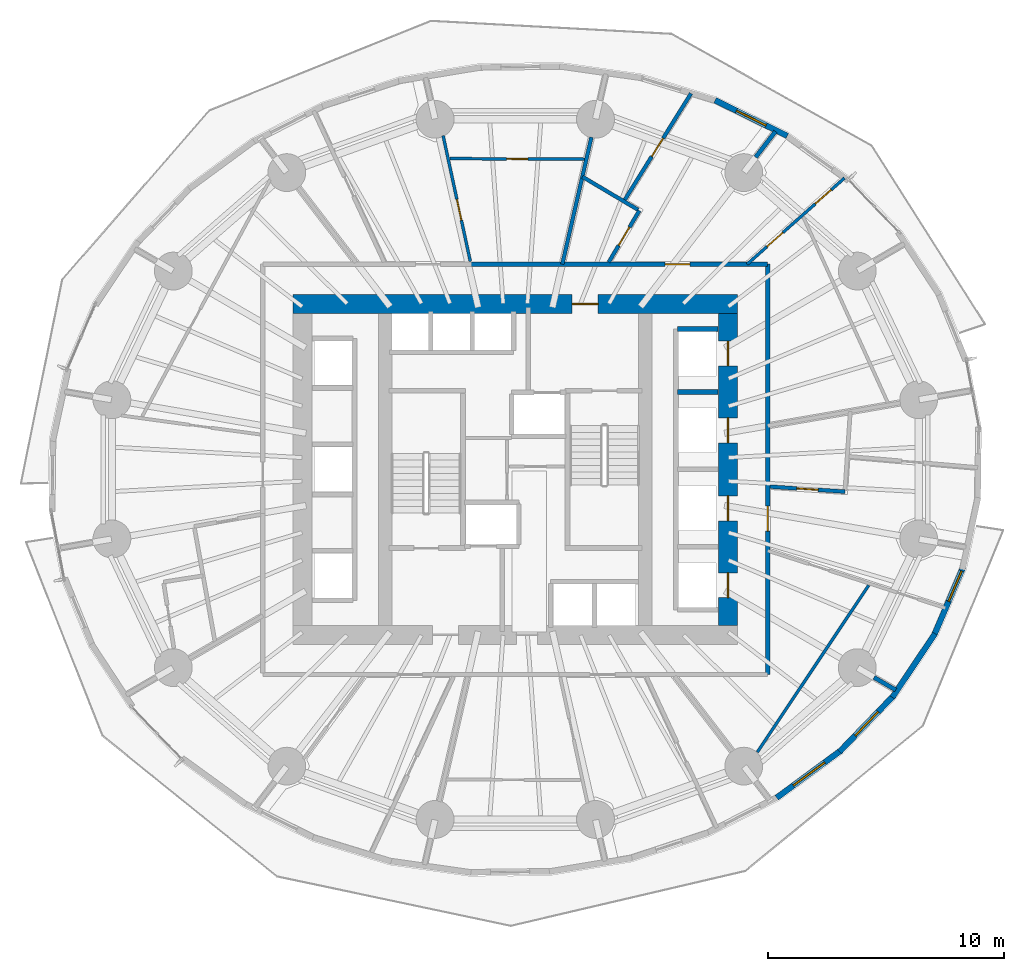
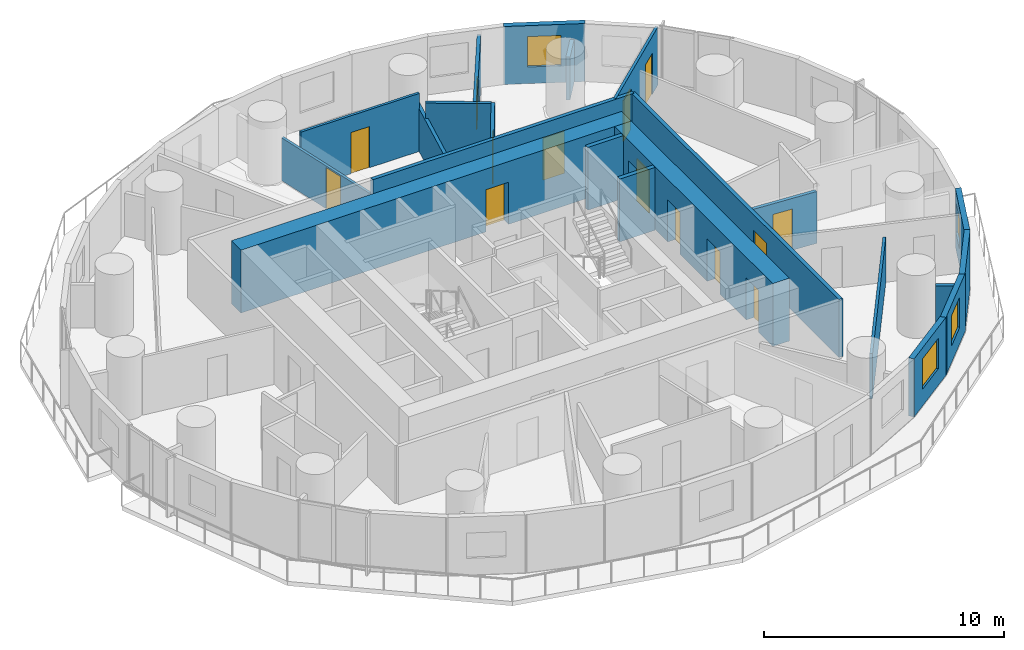
# One storey, part 9 of 14: 22 walls, 14 doors, 4 windows, 18 openings.
"""IFC4 building model written with IfcOpenShell, lengths in metres."""

import ifcopenshell
import ifcopenshell.guid

model = None  # the IFC model being written
_history = None  # IfcOwnerHistory: only IFC2X3 demands one
_inside = {}  # id of a spatial element -> (the spatial element, [elements in it])
_under = {}  # id of a project, library or spatial element -> (it, [spatial elements below it])
_declared = {}  # id of a project -> (the project, [libraries it declares])
_typed = {}  # id of a type object -> (the type object, [elements of that type])
_made_of = {}  # id of a material, layer set ... -> (it, [elements and type objects made of it])


def new_model(schema):
    """Start an empty IFC model of exactly this schema.

    Asked for "IFC4X3", IfcOpenShell would pick the latest addendum, in which some entities
    have other attributes; the version numbers below select the first issue.
    IFC2X3 requires an IfcOwnerHistory on every rooted entity: one is made here for all.
    """
    global model, _history
    if schema == "IFC4X3":
        model = ifcopenshell.file(schema_version=(4, 3, 0, 0))
    else:
        model = ifcopenshell.file(schema=schema)
    _inside.clear()
    _under.clear()
    _declared.clear()
    _typed.clear()
    _made_of.clear()
    _history = None
    if model.schema == "IFC2X3":
        org = make("IfcOrganization", Name="unknown")
        user = make(
            "IfcPersonAndOrganization",
            ThePerson=make("IfcPerson", FamilyName="unknown"),
            TheOrganization=org,
        )
        app = make(
            "IfcApplication",
            ApplicationDeveloper=org,
            Version="unknown",
            ApplicationFullName="unknown",
            ApplicationIdentifier="unknown",
        )
        _history = make(
            "IfcOwnerHistory",
            OwningUser=user,
            OwningApplication=app,
            ChangeAction="ADDED",
            CreationDate=0,
        )
    return model


def make(cls, **values):
    """One entity of the class cls with the attributes given. An attribute that is None is left unset."""
    return model.create_entity(
        cls, **{name: value for name, value in values.items() if value is not None}
    )


def rooted(cls, **values):
    """An entity with a GlobalId (a new one), such as an element, a storey or a relation."""
    return make(cls, GlobalId=ifcopenshell.guid.new(), OwnerHistory=_history, **values)


def si_unit(unit_type, name, prefix=None):
    """IfcSIUnit, for example si_unit("LENGTHUNIT", "METRE", prefix="MILLI")."""
    return make("IfcSIUnit", UnitType=unit_type, Prefix=prefix, Name=name)


def assignment(units):
    """IfcUnitAssignment: the units of a project."""
    return None if units is None else make("IfcUnitAssignment", Units=units)


def point(xyz):
    """IfcCartesianPoint."""
    return None if xyz is None else make("IfcCartesianPoint", Coordinates=xyz)


def direction(xyz):
    """IfcDirection."""
    return None if xyz is None else make("IfcDirection", DirectionRatios=xyz)


def frame(location, z_axis=None, x_axis=None):
    """IfcAxis2Placement3D, a coordinate frame: its origin and axes. An axis left out is left unset."""
    return make(
        "IfcAxis2Placement3D",
        Location=point(location),
        Axis=direction(z_axis),
        RefDirection=direction(x_axis),
    )


def frame_2d(location, x_axis=None):
    """IfcAxis2Placement2D, a coordinate frame in the plane: its origin and x axis."""
    return make(
        "IfcAxis2Placement2D", Location=point(location), RefDirection=direction(x_axis)
    )


def origin():
    """The frame at (0, 0, 0) with its axes left unset."""
    return frame((0.0, 0.0, 0.0))


def place(relative_to, where):
    """IfcLocalPlacement: puts the frame where relative to a parent placement (None: the world)."""
    return make(
        "IfcLocalPlacement", PlacementRelTo=relative_to, RelativePlacement=where
    )


def context(
    kind, dimensions, precision=None, world=None, true_north=None, identifier=None
):
    """IfcGeometricRepresentationContext, for example the 3D "Model" context."""
    return make(
        "IfcGeometricRepresentationContext",
        ContextIdentifier=identifier,
        ContextType=kind,
        CoordinateSpaceDimension=dimensions,
        Precision=precision,
        WorldCoordinateSystem=world,
        TrueNorth=true_north,
    )


def subcontext(parent, identifier, kind, view, scale=None):
    """IfcGeometricRepresentationSubContext, for example "Body" below "Model"."""
    return make(
        "IfcGeometricRepresentationSubContext",
        ContextIdentifier=identifier,
        ContextType=kind,
        ParentContext=parent,
        TargetScale=scale,
        TargetView=view,
    )


def project(units=None, contexts=None):
    """IfcProject with its units and contexts."""
    return rooted(
        "IfcProject",
        Name="project",
        RepresentationContexts=contexts,
        UnitsInContext=assignment(units),
    )


def spatial(cls, under=None, at=None, **own):
    """A site, building, storey or space (cls), placed at a placement, below another one or the project."""
    s = rooted(cls, ObjectPlacement=at, **own)
    if under is not None:
        _under.setdefault(under.id(), (under, []))[1].append(s)
    return s


def profile(cls, at=None, kind="AREA", **sizes):
    """A parametric profile (cls). Its sizes go by their IFC names, for example OverallWidth=200.0."""
    return make(cls, ProfileType=kind, Position=at, **sizes)


def rectangle(**sizes):
    """IfcRectangleProfileDef."""
    return profile("IfcRectangleProfileDef", **sizes)


def extrude(swept, where, along, depth):
    """IfcExtrudedAreaSolid: the profile swept, set in the frame where, extruded along a direction by depth."""
    return make(
        "IfcExtrudedAreaSolid",
        SweptArea=swept,
        Position=where,
        ExtrudedDirection=direction(along),
        Depth=depth,
    )


def shape(context_of_items, identifier, shape_type, items):
    """IfcShapeRepresentation: the items that make up one representation, for example the "Body"."""
    return make(
        "IfcShapeRepresentation",
        ContextOfItems=context_of_items,
        RepresentationIdentifier=identifier,
        RepresentationType=shape_type,
        Items=items,
    )


def material(Name=None, Category=None):
    """IfcMaterial."""
    return make("IfcMaterial", Name=Name, Category=Category)


def layer(
    of_material, thickness, ventilated=None, Name=None, Category=None, Priority=None
):
    """IfcMaterialLayer: one layer of a wall or slab, of a material (None: an air gap)."""
    return make(
        "IfcMaterialLayer",
        Material=of_material,
        LayerThickness=thickness,
        IsVentilated=ventilated,
        Name=Name,
        Category=Category,
        Priority=Priority,
    )


def layer_set(layers, Name=None):
    """IfcMaterialLayerSet."""
    return make("IfcMaterialLayerSet", MaterialLayers=layers, LayerSetName=Name)


def made_of(thing, what):
    """Note that an element or type object is made of a material, layer set ...; save() writes the relation."""
    if what is not None:
        _made_of.setdefault(what.id(), (what, []))[1].append(thing)
    return thing


def type_object(cls, material=None, **own):
    """A type object (cls), such as IfcWallType, which elements share."""
    return made_of(rooted(cls, **own), material)


def element(
    cls,
    number,
    at=None,
    inside=None,
    cuts=None,
    type_object=None,
    material=None,
    context=None,
    identifier="Body",
    shape_type=None,
    held_by="IfcProductDefinitionShape",
    body=None,
    shapes=None,
    **own,
):
    """One element of the class cls, such as IfcWall. Its Tag is "e" and its number.

    at: its placement. inside: the storey or other place that contains it. cuts: it is an
    opening in that element (IfcRelVoidsElement). A single representation is given by context,
    identifier, shape_type and body (its items); several are given by shapes. held_by: the class
    of the entity that holds the representations. save() writes the other relations.
    """
    e = rooted(cls, Tag="e%d" % number, ObjectPlacement=at, **own)
    if body is not None:
        shapes = [shape(context, identifier, shape_type, body)]
    if shapes is not None:
        e.Representation = make(held_by, Representations=shapes)
    if inside is not None:
        _inside.setdefault(inside.id(), (inside, []))[1].append(e)
    if cuts is not None:
        rooted(
            "IfcRelVoidsElement", RelatingBuildingElement=cuts, RelatedOpeningElement=e
        )
    if type_object is not None:
        _typed.setdefault(type_object.id(), (type_object, []))[1].append(e)
    return made_of(e, material)


def fill(opening, filler):
    """IfcRelFillsElement: the door or window that sits in an opening."""
    return rooted(
        "IfcRelFillsElement",
        RelatingOpeningElement=opening,
        RelatedBuildingElement=filler,
    )


def aggregate(whole, parts):
    """IfcRelAggregates: a whole, such as a stair, and the parts it consists of."""
    return rooted("IfcRelAggregates", RelatingObject=whole, RelatedObjects=parts)


def save(model, path):
    """Write the relations noted so far, then the file.

    IfcRelAggregates (storeys below a building ...), IfcRelContainedInSpatialStructure (elements
    in a storey), IfcRelDefinesByType, IfcRelAssociatesMaterial and IfcRelDeclares: one each for
    every whole, place, type object, material and project.
    """
    for whole, parts in _under.values():
        aggregate(whole, parts)
    for where, things in _inside.values():
        rooted(
            "IfcRelContainedInSpatialStructure",
            RelatedElements=things,
            RelatingStructure=where,
        )
    for kind, things in _typed.values():
        rooted("IfcRelDefinesByType", RelatedObjects=things, RelatingType=kind)
    for what, things in _made_of.values():
        rooted("IfcRelAssociatesMaterial", RelatedObjects=things, RelatingMaterial=what)
    for by, libraries in _declared.values():
        rooted("IfcRelDeclares", RelatingContext=by, RelatedDefinitions=libraries)
    model.write(path)


model = new_model("IFC4")

# Units and contexts
model_context = context("Model", 3, precision=1e-05, world=origin(), true_north=direction((0.0, 1.0)))
body_context = subcontext(model_context, "Body", "Model", "MODEL_VIEW")
ifc_project = project(units=[si_unit("LENGTHUNIT", "METRE"), si_unit("AREAUNIT", "SQUARE_METRE"), si_unit("VOLUMEUNIT", "CUBIC_METRE"), si_unit("PLANEANGLEUNIT", "RADIAN"), si_unit("MASSUNIT", "GRAM", prefix="KILO")], contexts=[model_context])

# Site, building, storey
site_placement = place(None, origin())
site = spatial("IfcSite", under=ifc_project, at=site_placement, CompositionType="ELEMENT")
building_placement = place(site_placement, origin())
building = spatial("IfcBuilding", under=site, at=building_placement, Name="Veldorim Arch Residences", CompositionType="ELEMENT")
storey_placement = place(building_placement, frame((0.0, 0.0, 28.0)))
storey = spatial("IfcBuildingStorey", under=building, at=storey_placement, Name="L07", CompositionType="ELEMENT", Elevation=28.0)

# Wall
ifc_material_1 = material(Name="Acoustic Gypsum Board", Category="gypsum")
ifc_layer_1 = layer(ifc_material_1, 0.125, Name="Acoustic Stud Room Partition Wall 125")
ifc_layer_set_1 = layer_set([ifc_layer_1], Name="Acoustic Gypsum Board")
wall_type_1 = type_object("IfcWallType", Name="Acoustic Stud Room Partition Wall 125", PredefinedType="PARTITIONING", material=ifc_layer_set_1)
wall_1_placement = place(storey_placement, frame((42.239990234375, 12.037353515625, 0.0), z_axis=(0.0, 0.0, 1.0), x_axis=(0.55508513016, 0.831793543059, 0.0)))
element("IfcWall", 1, at=wall_1_placement, inside=storey, type_object=wall_type_1, Name="L07 interior wall WL-RES-L07-021", PredefinedType="PARTITIONING", context=body_context, shape_type="SweptSolid", body=[
    extrude(rectangle(XDim=8.48779296875, YDim=0.125, at=frame_2d((4.243896484375, 0.0))), origin(), (0.0, 0.0, 1.0), 2.327880859375),
])

# Wall, openings, doors
wall_2_placement = place(storey_placement, frame((45.927001953125, 36.32568359375, 0.0), z_axis=(0.0, 0.0, 1.0), x_axis=(-0.748844909992, -0.662745275939, 0.0)))
wall_2 = element("IfcWall", 2, at=wall_2_placement, inside=storey, type_object=wall_type_1, Name="L07 interior wall WL-RES-L07-023", PredefinedType="PARTITIONING", context=body_context, shape_type="SweptSolid", body=[
    extrude(rectangle(XDim=5.5009765625, YDim=0.125, at=frame_2d((2.75048828125, 0.0))), origin(), (0.0, 0.0, 1.0), 2.955078125),
])
opening_1_placement = place(wall_2_placement, frame((0.74609375, 0.0, 0.0)))
opening_1 = element("IfcOpeningElement", 3, at=opening_1_placement, cuts=wall_2, Name="Opening DR-INT", PredefinedType="OPENING", context=body_context, shape_type="SweptSolid", body=[
    extrude(rectangle(XDim=0.89990234375, YDim=2.10009765625, at=frame_2d((0.449951171875, 1.050048828125))), frame((0.0, 0.072509765625, 0.0), z_axis=(0.0, -1.0, 0.0), x_axis=(1.0, 0.0, 0.0)), (0.0, 0.0, 1.0), 0.14501953125),
])
opening_2_placement = place(wall_2_placement, frame((3.476318359375, 0.0, 0.0)))
opening_2 = element("IfcOpeningElement", 4, at=opening_2_placement, cuts=wall_2, Name="Opening DR-INT", PredefinedType="OPENING", context=body_context, shape_type="SweptSolid", body=[
    extrude(rectangle(XDim=0.89990234375, YDim=2.10009765625, at=frame_2d((0.449951171875, 1.050048828125))), frame((0.0, 0.072509765625, 0.0), z_axis=(0.0, -1.0, 0.0), x_axis=(1.0, 0.0, 0.0)), (0.0, 0.0, 1.0), 0.14501953125),
])
ifc_material_2 = material(Name="Engineered Timber", Category="wood")
door_type_1 = type_object("IfcDoorType", Name="Apartment Internal Room Timber Door 900x2100", OperationType="SINGLE_SWING_LEFT", PredefinedType="DOOR", material=ifc_material_2)
door_1_placement = place(opening_1_placement, origin())
door_1 = element("IfcDoor", 5, at=door_1_placement, inside=storey, type_object=door_type_1, Name="L07 interior door DR-RES-L07-015", OperationType="SINGLE_SWING_LEFT", OverallHeight=2.10009765625, OverallWidth=0.89990234375, PredefinedType="DOOR", context=body_context, shape_type="SweptSolid", body=[
    extrude(rectangle(XDim=0.89990234375, YDim=2.10009765625, at=frame_2d((0.449951171875, 1.050048828125))), frame((0.0, 0.02490234375, 0.0), z_axis=(0.0, -1.0, 0.0), x_axis=(1.0, 0.0, 0.0)), (0.0, 0.0, 1.0), 0.050048828125),
])
fill(opening_1, door_1)
door_2_placement = place(opening_2_placement, origin())
door_2 = element("IfcDoor", 6, at=door_2_placement, inside=storey, type_object=door_type_1, Name="L07 interior door DR-RES-L07-016", OperationType="SINGLE_SWING_RIGHT", OverallHeight=2.10009765625, OverallWidth=0.89990234375, PredefinedType="DOOR", context=body_context, shape_type="SweptSolid", body=[
    extrude(rectangle(XDim=0.89990234375, YDim=2.10009765625, at=frame_2d((0.449951171875, 1.050048828125))), frame((0.0, 0.02490234375, 0.0), z_axis=(0.0, -1.0, 0.0), x_axis=(1.0, 0.0, 0.0)), (0.0, 0.0, 1.0), 0.050048828125),
])
fill(opening_2, door_2)

# Wall, opening, door
wall_3_placement = place(storey_placement, frame((28.94580078125, 38.120849609375, 0.0), z_axis=(0.0, 0.0, 1.0), x_axis=(0.211435796324, -0.977391888667, 0.0)))
wall_3 = element("IfcWall", 7, at=wall_3_placement, inside=storey, type_object=wall_type_1, Name="L07 interior wall WL-RES-L07-029", PredefinedType="PARTITIONING", context=body_context, shape_type="SweptSolid", body=[
    extrude(rectangle(XDim=5.446533203125, YDim=0.125, at=frame_2d((2.72314453125, 0.0))), origin(), (0.0, 0.0, 1.0), 2.17822265625),
])
opening_3_placement = place(wall_3_placement, frame((2.76171875, 0.0, 0.0)))
opening_3 = element("IfcOpeningElement", 8, at=opening_3_placement, cuts=wall_3, Name="Opening DR-INT", PredefinedType="OPENING", context=body_context, shape_type="SweptSolid", body=[
    extrude(rectangle(XDim=0.89990234375, YDim=2.10009765625, at=frame_2d((0.449951171875, 1.050048828125))), frame((0.0, 0.072509765625, 0.0), z_axis=(0.0, -1.0, 0.0), x_axis=(1.0, 0.0, 0.0)), (0.0, 0.0, 1.0), 0.14501953125),
])
door_3_placement = place(opening_3_placement, origin())
door_3 = element("IfcDoor", 9, at=door_3_placement, inside=storey, type_object=door_type_1, Name="L07 interior door DR-RES-L07-020", OperationType="SINGLE_SWING_RIGHT", OverallHeight=2.10009765625, OverallWidth=0.89990234375, PredefinedType="DOOR", context=body_context, shape_type="SweptSolid", body=[
    extrude(rectangle(XDim=0.89990234375, YDim=2.10009765625, at=frame_2d((0.449951171875, 1.050048828125))), frame((0.0, 0.02490234375, 0.0), z_axis=(0.0, -1.0, 0.0), x_axis=(1.0, 0.0, 0.0)), (0.0, 0.0, 1.0), 0.050048828125),
])
fill(opening_3, door_3)

wall_4_placement = place(storey_placement, frame((29.236572265625, 37.146484375, 0.0), z_axis=(0.0, 0.0, 1.0), x_axis=(0.999989854874, -0.004504458806, 0.0)))
wall_4 = element("IfcWall", 10, at=wall_4_placement, inside=storey, type_object=wall_type_1, Name="L07 interior wall WL-RES-L07-031", PredefinedType="PARTITIONING", context=body_context, shape_type="SweptSolid", body=[
    extrude(rectangle(XDim=5.69091796875, YDim=0.125, at=frame_2d((2.845458984375, 0.0))), origin(), (0.0, 0.0, 1.0), 2.955078125),
])
opening_4_placement = place(wall_4_placement, frame((2.3955078125, 0.0, 0.0)))
opening_4 = element("IfcOpeningElement", 11, at=opening_4_placement, cuts=wall_4, Name="Opening DR-INT", PredefinedType="OPENING", context=body_context, shape_type="SweptSolid", body=[
    extrude(rectangle(XDim=0.89990234375, YDim=2.10009765625, at=frame_2d((0.449951171875, 1.050048828125))), frame((0.0, 0.072509765625, 0.0), z_axis=(0.0, -1.0, 0.0), x_axis=(1.0, 0.0, 0.0)), (0.0, 0.0, 1.0), 0.14501953125),
])
door_4_placement = place(opening_4_placement, origin())
door_4 = element("IfcDoor", 12, at=door_4_placement, inside=storey, type_object=door_type_1, Name="L07 interior door DR-RES-L07-021", OperationType="SINGLE_SWING_LEFT", OverallHeight=2.10009765625, OverallWidth=0.89990234375, PredefinedType="DOOR", context=body_context, shape_type="SweptSolid", body=[
    extrude(rectangle(XDim=0.89990234375, YDim=2.10009765625, at=frame_2d((0.449951171875, 1.050048828125))), frame((0.0, 0.02490234375, 0.0), z_axis=(0.0, -1.0, 0.0), x_axis=(1.0, 0.0, 0.0)), (0.0, 0.0, 1.0), 0.050048828125),
])
fill(opening_4, door_4)

# Walls
ifc_material_3 = material(Name="Lightweight Masonry Block & Gypsum", Category="masonry")
ifc_layer_2 = layer(ifc_material_3, 0.179931640625, Name="Compartment & Corridor Fire-Rated Party Wall 180")
ifc_layer_set_2 = layer_set([ifc_layer_2], Name="Lightweight Masonry Block & Gypsum")
wall_type_2 = type_object("IfcWallType", Name="Compartment & Corridor Fire-Rated Party Wall 180", PredefinedType="PARTITIONING", material=ifc_layer_set_2)
wall_5_placement = place(storey_placement, frame((42.167236328125, 37.204833984375, 0.0), z_axis=(0.0, 0.0, 1.0), x_axis=(0.609967804345, 0.792426196982, 0.0)))
element("IfcWall", 13, at=wall_5_placement, inside=storey, type_object=wall_type_2, Name="L07 interior wall WL-PIER-L07-03", PredefinedType="PARTITIONING", context=body_context, shape_type="SweptSolid", body=[
    extrude(rectangle(XDim=1.376953125, YDim=0.179931640625, at=frame_2d((0.6884765625, 0.0))), origin(), (0.0, 0.0, 1.0), 2.17822265625),
])
wall_6_placement = place(storey_placement, frame((47.177001953125, 15.19970703125, 0.0), z_axis=(0.0, 0.0, 1.0), x_axis=(0.865001274409, -0.501769663562, 0.0)))
element("IfcWall", 14, at=wall_6_placement, inside=storey, type_object=wall_type_2, Name="L07 interior wall WL-PIER-L07-15", PredefinedType="PARTITIONING", context=body_context, shape_type="SweptSolid", body=[
    extrude(rectangle(XDim=1.062744140625, YDim=0.179931640625, at=frame_2d((0.53125, 0.0))), origin(), (0.0, 0.0, 1.0), 2.17822265625),
])

# Wall, opening, door
wall_7_placement = place(storey_placement, frame((42.679931640625, 32.679931640625, 0.0), z_axis=(0.0, 0.0, 1.0), x_axis=(0.0, -1.0, 0.0)))
wall_7 = element("IfcWall", 15, at=wall_7_placement, inside=storey, type_object=wall_type_2, Name="L07 interior wall WL-RES-L07-004", PredefinedType="PARTITIONING", context=body_context, shape_type="SweptSolid", body=[
    extrude(rectangle(XDim=17.35986328125, YDim=0.179931640625, at=frame_2d((8.679931640625, 0.0))), origin(), (0.0, 0.0, 1.0), 2.955078125),
])
opening_5_placement = place(wall_7_placement, frame((10.239501953125, 0.0, 0.0)))
opening_5 = element("IfcOpeningElement", 16, at=opening_5_placement, cuts=wall_7, Name="Opening DR-FLT", PredefinedType="OPENING", context=body_context, shape_type="SweptSolid", body=[
    extrude(rectangle(XDim=1.050048828125, YDim=2.14990234375, at=frame_2d((0.52490234375, 1.074951171875))), frame((0.0, 0.099853515625, 0.0), z_axis=(0.0, -1.0, 0.0), x_axis=(1.0, 0.0, 0.0)), (0.0, 0.0, 1.0), 0.199951171875),
])
ifc_material_4 = material(Name="Fire-Rated Timber", Category="wood")
door_type_2 = type_object("IfcDoorType", Name="Apartment Entrance Solid-Core Fire Door 1050x2150", OperationType="SINGLE_SWING_LEFT", PredefinedType="DOOR", material=ifc_material_4)
door_5_placement = place(opening_5_placement, origin())
door_5 = element("IfcDoor", 17, at=door_5_placement, inside=storey, type_object=door_type_2, Name="L07 interior door DR-RES-L07-008", OperationType="SINGLE_SWING_RIGHT", OverallHeight=2.14990234375, OverallWidth=1.050048828125, PredefinedType="DOOR", context=body_context, shape_type="SweptSolid", body=[
    extrude(rectangle(XDim=1.050048828125, YDim=2.14990234375, at=frame_2d((0.52490234375, 1.074951171875))), frame((0.0, 0.02490234375, 0.0), z_axis=(0.0, -1.0, 0.0), x_axis=(1.0, 0.0, 0.0)), (0.0, 0.0, 1.0), 0.050048828125),
])
fill(opening_5, door_5)

wall_8_placement = place(storey_placement, frame((30.102294921875, 32.679931640625, 0.0), z_axis=(0.0, 0.0, 1.0), x_axis=(1.0, 0.0, 0.0)))
wall_8 = element("IfcWall", 18, at=wall_8_placement, inside=storey, type_object=wall_type_2, Name="L07 interior wall WL-RES-L07-005", PredefinedType="PARTITIONING", context=body_context, shape_type="SweptSolid", body=[
    extrude(rectangle(XDim=12.57763671875, YDim=0.179931640625, at=frame_2d((6.288818359375, 0.0))), origin(), (0.0, 0.0, 1.0), 2.955078125),
])
opening_6_placement = place(wall_8_placement, frame((8.23291015625, 0.0, 0.0)))
opening_6 = element("IfcOpeningElement", 19, at=opening_6_placement, cuts=wall_8, Name="Opening DR-FLT", PredefinedType="OPENING", context=body_context, shape_type="SweptSolid", body=[
    extrude(rectangle(XDim=1.050048828125, YDim=2.14990234375, at=frame_2d((0.52490234375, 1.074951171875))), frame((0.0, 0.099853515625, 0.0), z_axis=(0.0, -1.0, 0.0), x_axis=(1.0, 0.0, 0.0)), (0.0, 0.0, 1.0), 0.199951171875),
])
door_6_placement = place(opening_6_placement, origin())
door_6 = element("IfcDoor", 20, at=door_6_placement, inside=storey, type_object=door_type_2, Name="L07 interior door DR-RES-L07-013", OperationType="SINGLE_SWING_LEFT", OverallHeight=2.14990234375, OverallWidth=1.050048828125, PredefinedType="DOOR", context=body_context, shape_type="SweptSolid", body=[
    extrude(rectangle(XDim=1.050048828125, YDim=2.14990234375, at=frame_2d((0.52490234375, 1.074951171875))), frame((0.0, 0.02490234375, 0.0), z_axis=(0.0, -1.0, 0.0), x_axis=(1.0, 0.0, 0.0)), (0.0, 0.0, 1.0), 0.050048828125),
])
fill(opening_6, door_6)

# Walls
ifc_material_5 = material(Name="Concrete C50/60", Category="concrete")
ifc_layer_3 = layer(ifc_material_5, 0.199951171875, Name="Core Stair & Lift Shaft Enclosure Wall 200")
ifc_layer_set_3 = layer_set([ifc_layer_3], Name="Concrete C50/60")
wall_type_3 = type_object("IfcWallType", Name="Core Stair & Lift Shaft Enclosure Wall 200", PredefinedType="SHEAR", material=ifc_layer_set_3)
for number, where, z_axis, x_axis, name in (
    (21, (38.8701171875, 29.93994140625, 0.0), (0.0, 0.0, 1.0), (1.0, 0.0, 0.0), "L07 shaft wall WL-B1-L07-N"),
    (22, (38.8701171875, 27.27490234375, 0.0), (0.0, 0.0, 1.0), (1.0, 0.0, 0.0), "L07 shaft wall WL-B1-L07-D3"),
):
    element("IfcWall", number, at=place(storey_placement, frame(where, z_axis=z_axis, x_axis=x_axis)), inside=storey, type_object=wall_type_3, Name=name, PredefinedType="SHEAR", context=body_context, shape_type="SweptSolid", body=[
        extrude(rectangle(XDim=1.7099609375, YDim=0.199951171875, at=frame_2d((0.85498046875, 0.0))), origin(), (0.0, 0.0, 1.0), 3.199951171875),
    ])

# Wall, opening, door
ifc_material_6 = material(Name="Concrete C60/75", Category="concrete")
ifc_layer_4 = layer(ifc_material_6, 0.800048828125, Name="Lower Central Core Shear Wall 800")
ifc_layer_set_4 = layer_set([ifc_layer_4], Name="Concrete C60/75")
wall_type_4 = type_object("IfcWallType", Name="Lower Central Core Shear Wall 800", PredefinedType="SHEAR", material=ifc_layer_set_4)
wall_9_placement = place(storey_placement, frame((22.60009765625, 31.0, 0.0), z_axis=(0.0, 0.0, 1.0), x_axis=(1.0, 0.0, 0.0)))
wall_9 = element("IfcWall", 23, at=wall_9_placement, inside=storey, type_object=wall_type_4, Name="L07 central core north shear wall", PredefinedType="SHEAR", context=body_context, shape_type="SweptSolid", body=[
    extrude(rectangle(XDim=18.7998046875, YDim=0.800048828125, at=frame_2d((9.39990234375, 0.0))), origin(), (0.0, 0.0, 1.0), 3.199951171875),
])
opening_7_placement = place(wall_9_placement, frame((11.800048828125, 0.0, 0.0)))
opening_7 = element("IfcOpeningElement", 24, at=opening_7_placement, cuts=wall_9, Name="Opening DR-FFL", PredefinedType="OPENING", context=body_context, shape_type="SweptSolid", body=[
    extrude(rectangle(XDim=1.10009765625, YDim=2.14990234375, at=frame_2d((0.550048828125, 1.074951171875))), frame((0.0, 0.409912109375, 0.0), z_axis=(0.0, -1.0, 0.0), x_axis=(1.0, 0.0, 0.0)), (0.0, 0.0, 1.0), 0.820068359375),
])
ifc_material_7 = material(Name="Fire-Rated Steel & Vision Glass", Category="steel")
door_type_3 = type_object("IfcDoorType", Name="Firefighting Lobby Smoke-Stop Fire Door 1100x2150", OperationType="SINGLE_SWING_LEFT", PredefinedType="DOOR", material=ifc_material_7)
door_7_placement = place(opening_7_placement, origin())
door_7 = element("IfcDoor", 25, at=door_7_placement, inside=storey, type_object=door_type_3, Name="L07 interior door DR-L07-FFL2", OperationType="SINGLE_SWING_LEFT", OverallHeight=2.14990234375, OverallWidth=1.10009765625, PredefinedType="DOOR", context=body_context, shape_type="SweptSolid", body=[
    extrude(rectangle(XDim=1.10009765625, YDim=2.14990234375, at=frame_2d((0.550048828125, 1.074951171875))), frame((0.0, 0.02490234375, 0.0), z_axis=(0.0, -1.0, 0.0), x_axis=(1.0, 0.0, 0.0)), (0.0, 0.0, 1.0), 0.050048828125),
])
fill(opening_7, door_7)

# Wall, openings, doors
wall_10_placement = place(storey_placement, frame((41.0, 17.39990234375, 0.0), z_axis=(0.0, 0.0, 1.0), x_axis=(0.0, 1.0, 0.0)))
wall_10 = element("IfcWall", 26, at=wall_10_placement, inside=storey, type_object=wall_type_4, Name="L07 central core east shear wall", PredefinedType="SHEAR", context=body_context, shape_type="SweptSolid", body=[
    extrude(rectangle(XDim=13.2001953125, YDim=0.800048828125, at=frame_2d((6.60009765625, 0.0))), origin(), (0.0, 0.0, 1.0), 3.199951171875),
])
opening_8_placement = place(wall_10_placement, frame((1.175048828125, 0.0, 0.0)))
opening_8 = element("IfcOpeningElement", 27, at=opening_8_placement, cuts=wall_10, Name="Opening LD-PS", PredefinedType="OPENING", context=body_context, shape_type="SweptSolid", body=[
    extrude(rectangle(XDim=1.050048828125, YDim=2.14990234375, at=frame_2d((0.52490234375, 1.074951171875))), frame((0.0, 0.409912109375, 0.0), z_axis=(0.0, -1.0, 0.0), x_axis=(1.0, 0.0, 0.0)), (0.0, 0.0, 1.0), 0.820068359375),
])
opening_9_placement = place(wall_10_placement, frame((4.425048828125, 0.0, 0.0)))
opening_9 = element("IfcOpeningElement", 28, at=opening_9_placement, cuts=wall_10, Name="Opening LD-PS", PredefinedType="OPENING", context=body_context, shape_type="SweptSolid", body=[
    extrude(rectangle(XDim=1.050048828125, YDim=2.14990234375, at=frame_2d((0.52490234375, 1.074951171875))), frame((0.0, 0.409912109375, 0.0), z_axis=(0.0, -1.0, 0.0), x_axis=(1.0, 0.0, 0.0)), (0.0, 0.0, 1.0), 0.820068359375),
])
opening_10_placement = place(wall_10_placement, frame((7.72509765625, 0.0, 0.0)))
opening_10 = element("IfcOpeningElement", 29, at=opening_10_placement, cuts=wall_10, Name="Opening LD-PS", PredefinedType="OPENING", context=body_context, shape_type="SweptSolid", body=[
    extrude(rectangle(XDim=1.050048828125, YDim=2.14990234375, at=frame_2d((0.52490234375, 1.074951171875))), frame((0.0, 0.409912109375, 0.0), z_axis=(0.0, -1.0, 0.0), x_axis=(1.0, 0.0, 0.0)), (0.0, 0.0, 1.0), 0.820068359375),
])
opening_11_placement = place(wall_10_placement, frame((10.97509765625, 0.0, 0.0)))
opening_11 = element("IfcOpeningElement", 30, at=opening_11_placement, cuts=wall_10, Name="Opening LD-PS", PredefinedType="OPENING", context=body_context, shape_type="SweptSolid", body=[
    extrude(rectangle(XDim=1.050048828125, YDim=2.14990234375, at=frame_2d((0.52490234375, 1.074951171875))), frame((0.0, 0.409912109375, 0.0), z_axis=(0.0, -1.0, 0.0), x_axis=(1.0, 0.0, 0.0)), (0.0, 0.0, 1.0), 0.820068359375),
])
ifc_material_8 = material(Name="Stainless Steel", Category="steel")
door_type_4 = type_object("IfcDoorType", Name="Passenger Lift Bi-Parting Sliding Landing Door 1050x2150", OperationType="DOUBLE_DOOR_SLIDING", PredefinedType="DOOR", material=ifc_material_8)
door_8_placement = place(opening_8_placement, origin())
door_8 = element("IfcDoor", 31, at=door_8_placement, inside=storey, type_object=door_type_4, Name="L07 lift landing door LD-L07-PL-01", OperationType="DOUBLE_DOOR_SLIDING", OverallHeight=2.14990234375, OverallWidth=1.050048828125, PredefinedType="DOOR", context=body_context, shape_type="SweptSolid", body=[
    extrude(rectangle(XDim=1.050048828125, YDim=2.14990234375, at=frame_2d((0.52490234375, 1.074951171875))), frame((0.0, 0.02490234375, 0.0), z_axis=(0.0, -1.0, 0.0), x_axis=(1.0, 0.0, 0.0)), (0.0, 0.0, 1.0), 0.050048828125),
])
fill(opening_8, door_8)
door_9_placement = place(opening_9_placement, origin())
door_9 = element("IfcDoor", 32, at=door_9_placement, inside=storey, type_object=door_type_4, Name="L07 lift landing door LD-L07-PL-02", OperationType="DOUBLE_DOOR_SLIDING", OverallHeight=2.14990234375, OverallWidth=1.050048828125, PredefinedType="DOOR", context=body_context, shape_type="SweptSolid", body=[
    extrude(rectangle(XDim=1.050048828125, YDim=2.14990234375, at=frame_2d((0.52490234375, 1.074951171875))), frame((0.0, 0.02490234375, 0.0), z_axis=(0.0, -1.0, 0.0), x_axis=(1.0, 0.0, 0.0)), (0.0, 0.0, 1.0), 0.050048828125),
])
fill(opening_9, door_9)
door_10_placement = place(opening_10_placement, origin())
door_10 = element("IfcDoor", 33, at=door_10_placement, inside=storey, type_object=door_type_4, Name="L07 lift landing door LD-L07-PL-03", OperationType="DOUBLE_DOOR_SLIDING", OverallHeight=2.14990234375, OverallWidth=1.050048828125, PredefinedType="DOOR", context=body_context, shape_type="SweptSolid", body=[
    extrude(rectangle(XDim=1.050048828125, YDim=2.14990234375, at=frame_2d((0.52490234375, 1.074951171875))), frame((0.0, 0.02490234375, 0.0), z_axis=(0.0, -1.0, 0.0), x_axis=(1.0, 0.0, 0.0)), (0.0, 0.0, 1.0), 0.050048828125),
])
fill(opening_10, door_10)
door_11_placement = place(opening_11_placement, origin())
door_11 = element("IfcDoor", 34, at=door_11_placement, inside=storey, type_object=door_type_4, Name="L07 lift landing door LD-L07-PL-04", OperationType="DOUBLE_DOOR_SLIDING", OverallHeight=2.14990234375, OverallWidth=1.050048828125, PredefinedType="DOOR", context=body_context, shape_type="SweptSolid", body=[
    extrude(rectangle(XDim=1.050048828125, YDim=2.14990234375, at=frame_2d((0.52490234375, 1.074951171875))), frame((0.0, 0.02490234375, 0.0), z_axis=(0.0, -1.0, 0.0), x_axis=(1.0, 0.0, 0.0)), (0.0, 0.0, 1.0), 0.050048828125),
])
fill(opening_11, door_11)

# Wall, opening, window
ifc_material_9 = material(Name="Precast concrete C40/50", Category="concrete")
ifc_layer_5 = layer(ifc_material_9, 0.25, Name="Tower Terracotta Spandrel & Pier Wall 250")
ifc_layer_set_5 = layer_set([ifc_layer_5], Name="Precast concrete C40/50")
wall_type_5 = type_object("IfcWallType", Name="Tower Terracotta Spandrel & Pier Wall 250", PredefinedType="SOLIDWALL", material=ifc_layer_set_5)
wall_11_placement = place(storey_placement, frame((40.45751953125, 39.615478515625, 0.0), z_axis=(0.0, 0.0, 1.0), x_axis=(0.896727977212, -0.442582122193, 0.0)))
wall_11 = element("IfcWall", 35, at=wall_11_placement, inside=storey, type_object=wall_type_5, Name="L07 terracotta facade wall 06", PredefinedType="SOLIDWALL", context=body_context, shape_type="SweptSolid", body=[
    extrude(rectangle(XDim=3.399169921875, YDim=0.25, at=frame_2d((1.69970703125, 0.0))), origin(), (0.0, 0.0, 1.0), 2.9599609375),
])
opening_12_placement = place(wall_11_placement, frame((1.0, 0.0, 0.85009765625)))
opening_12 = element("IfcOpeningElement", 36, at=opening_12_placement, cuts=wall_11, Name="Opening WN-02", PredefinedType="OPENING", context=body_context, shape_type="SweptSolid", body=[
    extrude(rectangle(XDim=1.39990234375, YDim=1.550048828125, at=frame_2d((0.699951171875, 0.77490234375))), frame((0.0, 0.135009765625, 0.0), z_axis=(0.0, -1.0, 0.0), x_axis=(1.0, 0.0, 0.0)), (0.0, 0.0, 1.0), 0.27001953125),
])
ifc_material_10 = material(Name="Laminated Low-E Glass", Category="glass")
window_type_1 = type_object("IfcWindowType", Name="Residential Casement Window 1400x1550", PartitioningType="SINGLE_PANEL", PredefinedType="WINDOW", material=ifc_material_10)
window_1_placement = place(opening_12_placement, origin())
window_1 = element("IfcWindow", 37, at=window_1_placement, inside=storey, type_object=window_type_1, Name="L07 solar-control facade window 06", OverallHeight=1.550048828125, OverallWidth=1.39990234375, PartitioningType="SINGLE_PANEL", PredefinedType="WINDOW", context=body_context, shape_type="SweptSolid", body=[
    extrude(rectangle(XDim=1.39990234375, YDim=1.550048828125, at=frame_2d((0.699951171875, 0.77490234375))), frame((0.0, 0.030029296875, 0.0), z_axis=(0.0, -1.0, 0.0), x_axis=(1.0, 0.0, 0.0)), (0.0, 0.0, 1.0), 0.06005859375),
])
fill(opening_12, window_1)

wall_12_placement = place(storey_placement, frame((45.797607421875, 12.120361328125, 0.0), z_axis=(0.0, 0.0, 1.0), x_axis=(-0.805405938507, -0.592723606935, 0.0)))
wall_12 = element("IfcWall", 38, at=wall_12_placement, inside=storey, type_object=wall_type_5, Name="L07 terracotta facade wall 31", PredefinedType="SOLIDWALL", context=body_context, shape_type="SweptSolid", body=[
    extrude(rectangle(XDim=3.39892578125, YDim=0.25, at=frame_2d((1.699462890625, 0.0))), origin(), (0.0, 0.0, 1.0), 2.9599609375),
])
opening_13_placement = place(wall_12_placement, frame((0.875, 0.0, 0.85009765625)))
opening_13 = element("IfcOpeningElement", 39, at=opening_13_placement, cuts=wall_12, Name="Opening WN-03", PredefinedType="OPENING", context=body_context, shape_type="SweptSolid", body=[
    extrude(rectangle(XDim=1.64990234375, YDim=1.550048828125, at=frame_2d((0.824951171875, 0.77490234375))), frame((0.0, 0.135009765625, 0.0), z_axis=(0.0, -1.0, 0.0), x_axis=(1.0, 0.0, 0.0)), (0.0, 0.0, 1.0), 0.27001953125),
])
ifc_material_11 = material(Name="Laminated Low-E Glass", Category="glass")
window_type_2 = type_object("IfcWindowType", Name="Residential Wide Window 1650x1550", PartitioningType="SINGLE_PANEL", PredefinedType="WINDOW", material=ifc_material_11)
window_2_placement = place(opening_13_placement, origin())
window_2 = element("IfcWindow", 40, at=window_2_placement, inside=storey, type_object=window_type_2, Name="L07 solar-control facade window 31", OverallHeight=1.550048828125, OverallWidth=1.64990234375, PartitioningType="SINGLE_PANEL", PredefinedType="WINDOW", context=body_context, shape_type="SweptSolid", body=[
    extrude(rectangle(XDim=1.64990234375, YDim=1.550048828125, at=frame_2d((0.824951171875, 0.77490234375))), frame((0.0, 0.030029296875, 0.0), z_axis=(0.0, -1.0, 0.0), x_axis=(1.0, 0.0, 0.0)), (0.0, 0.0, 1.0), 0.06005859375),
])
fill(opening_13, window_2)

wall_13_placement = place(storey_placement, frame((48.021484375, 14.4384765625, 0.0), z_axis=(0.0, 0.0, 1.0), x_axis=(-0.694392538781, -0.719596416115, 0.0)))
wall_13 = element("IfcWall", 41, at=wall_13_placement, inside=storey, type_object=wall_type_5, Name="L07 terracotta facade wall 32", PredefinedType="SOLIDWALL", context=body_context, shape_type="SweptSolid", body=[
    extrude(rectangle(XDim=3.322509765625, YDim=0.25, at=frame_2d((1.6611328125, 0.0))), origin(), (0.0, 0.0, 1.0), 2.9599609375),
])
opening_14_placement = place(wall_13_placement, frame((0.9609375, 0.0, 0.85009765625)))
opening_14 = element("IfcOpeningElement", 42, at=opening_14_placement, cuts=wall_13, Name="Opening WN-02", PredefinedType="OPENING", context=body_context, shape_type="SweptSolid", body=[
    extrude(rectangle(XDim=1.39990234375, YDim=1.550048828125, at=frame_2d((0.699951171875, 0.77490234375))), frame((0.0, 0.135009765625, 0.0), z_axis=(0.0, -1.0, 0.0), x_axis=(1.0, 0.0, 0.0)), (0.0, 0.0, 1.0), 0.27001953125),
])
window_3_placement = place(opening_14_placement, origin())
window_3 = element("IfcWindow", 43, at=window_3_placement, inside=storey, type_object=window_type_1, Name="L07 solar-control facade window 32", OverallHeight=1.550048828125, OverallWidth=1.39990234375, PartitioningType="SINGLE_PANEL", PredefinedType="WINDOW", context=body_context, shape_type="SweptSolid", body=[
    extrude(rectangle(XDim=1.39990234375, YDim=1.550048828125, at=frame_2d((0.699951171875, 0.77490234375))), frame((0.0, 0.030029296875, 0.0), z_axis=(0.0, -1.0, 0.0), x_axis=(1.0, 0.0, 0.0)), (0.0, 0.0, 1.0), 0.06005859375),
])
fill(opening_14, window_3)

# Wall
wall_14_placement = place(storey_placement, frame((49.7578125, 17.046630859375, 0.0), z_axis=(0.0, 0.0, 1.0), x_axis=(-0.556764929833, -0.83067009872, 0.0)))
element("IfcWall", 44, at=wall_14_placement, inside=storey, type_object=wall_type_5, Name="L07 terracotta facade wall 33", PredefinedType="SOLIDWALL", context=body_context, shape_type="SweptSolid", body=[
    extrude(rectangle(XDim=3.244384765625, YDim=0.25, at=frame_2d((1.6220703125, 0.0))), origin(), (0.0, 0.0, 1.0), 2.9599609375),
])

# Wall, opening, window
wall_15_placement = place(storey_placement, frame((50.95361328125, 19.865234375, 0.0), z_axis=(0.0, 0.0, 1.0), x_axis=(-0.393733630937, -0.91922457967, 0.0)))
wall_15 = element("IfcWall", 45, at=wall_15_placement, inside=storey, type_object=wall_type_5, Name="L07 terracotta facade wall 34", PredefinedType="SOLIDWALL", context=body_context, shape_type="SweptSolid", body=[
    extrude(rectangle(XDim=3.174072265625, YDim=0.25, at=frame_2d((1.5869140625, 0.0))), origin(), (0.0, 0.0, 1.0), 2.9599609375),
])
opening_15_placement = place(wall_15_placement, frame((0.175048828125, 0.0, 0.85009765625)))
opening_15 = element("IfcOpeningElement", 46, at=opening_15_placement, cuts=wall_15, Name="Opening WN-02", PredefinedType="OPENING", context=body_context, shape_type="SweptSolid", body=[
    extrude(rectangle(XDim=1.39990234375, YDim=1.550048828125, at=frame_2d((0.699951171875, 0.77490234375))), frame((0.0, 0.135009765625, 0.0), z_axis=(0.0, -1.0, 0.0), x_axis=(1.0, 0.0, 0.0)), (0.0, 0.0, 1.0), 0.27001953125),
])
window_4_placement = place(opening_15_placement, origin())
window_4 = element("IfcWindow", 47, at=window_4_placement, inside=storey, type_object=window_type_1, Name="L07 solar-control facade window 34", OverallHeight=1.550048828125, OverallWidth=1.39990234375, PartitioningType="SINGLE_PANEL", PredefinedType="WINDOW", context=body_context, shape_type="SweptSolid", body=[
    extrude(rectangle(XDim=1.39990234375, YDim=1.550048828125, at=frame_2d((0.699951171875, 0.77490234375))), frame((0.0, 0.030029296875, 0.0), z_axis=(0.0, -1.0, 0.0), x_axis=(1.0, 0.0, 0.0)), (0.0, 0.0, 1.0), 0.06005859375),
])
fill(opening_15, window_4)

# Wall, opening, door
ifc_material_12 = material(Name="Moisture-Resistant Gypsum & Stud", Category="gypsum")
ifc_layer_6 = layer(ifc_material_12, 0.159912109375, Name="Wet-Area Moisture-Resistant Plumbing Wall 160")
ifc_layer_set_6 = layer_set([ifc_layer_6], Name="Moisture-Resistant Gypsum & Stud")
wall_type_6 = type_object("IfcWallType", Name="Wet-Area Moisture-Resistant Plumbing Wall 160", PredefinedType="PLUMBINGWALL", material=ifc_layer_set_6)
wall_16_placement = place(storey_placement, frame((42.77978515625, 23.269287109375, 0.0), z_axis=(0.0, 0.0, 1.0), x_axis=(0.99776911562, -0.066759208461, 0.0)))
wall_16 = element("IfcWall", 48, at=wall_16_placement, inside=storey, type_object=wall_type_6, Name="L07 interior wall WL-RES-L07-018", PredefinedType="PLUMBINGWALL", context=body_context, shape_type="SweptSolid", body=[
    extrude(rectangle(XDim=3.170654296875, YDim=0.159912109375, at=frame_2d((1.58544921875, 0.0))), origin(), (0.0, 0.0, 1.0), 2.641357421875),
])
opening_16_placement = place(wall_16_placement, frame((1.13525390625, 0.0, 0.0)))
opening_16 = element("IfcOpeningElement", 49, at=opening_16_placement, cuts=wall_16, Name="Opening DR-INT", PredefinedType="OPENING", context=body_context, shape_type="SweptSolid", body=[
    extrude(rectangle(XDim=0.89990234375, YDim=2.10009765625, at=frame_2d((0.449951171875, 1.050048828125))), frame((0.0, 0.08984375, 0.0), z_axis=(0.0, -1.0, 0.0), x_axis=(1.0, 0.0, 0.0)), (0.0, 0.0, 1.0), 0.179931640625),
])
door_12_placement = place(opening_16_placement, origin())
door_12 = element("IfcDoor", 50, at=door_12_placement, inside=storey, type_object=door_type_1, Name="L07 interior door DR-RES-L07-012", OperationType="SINGLE_SWING_RIGHT", OverallHeight=2.10009765625, OverallWidth=0.89990234375, PredefinedType="DOOR", context=body_context, shape_type="SweptSolid", body=[
    extrude(rectangle(XDim=0.89990234375, YDim=2.10009765625, at=frame_2d((0.449951171875, 1.050048828125))), frame((0.0, 0.02490234375, 0.0), z_axis=(0.0, -1.0, 0.0), x_axis=(1.0, 0.0, 0.0)), (0.0, 0.0, 1.0), 0.050048828125),
])
fill(opening_16, door_12)

wall_17_placement = place(storey_placement, frame((36.591064453125, 35.33984375, 0.0), z_axis=(0.0, 0.0, 1.0), x_axis=(0.528851652391, 0.848714280405, 0.0)))
wall_17 = element("IfcWall", 51, at=wall_17_placement, inside=storey, type_object=wall_type_6, Name="L07 interior wall WL-RES-L07-022", PredefinedType="PLUMBINGWALL", context=body_context, shape_type="SweptSolid", body=[
    extrude(rectangle(XDim=5.377197265625, YDim=0.159912109375, at=frame_2d((2.6884765625, 0.0))), origin(), (0.0, 0.0, 1.0), 2.641357421875),
])
opening_17_placement = place(wall_17_placement, frame((2.238525390625, 0.0, 0.0)))
opening_17 = element("IfcOpeningElement", 52, at=opening_17_placement, cuts=wall_17, Name="Opening DR-WC", PredefinedType="OPENING", context=body_context, shape_type="SweptSolid", body=[
    extrude(rectangle(XDim=0.89990234375, YDim=2.10009765625, at=frame_2d((0.449951171875, 1.050048828125))), frame((0.0, 0.08984375, 0.0), z_axis=(0.0, -1.0, 0.0), x_axis=(1.0, 0.0, 0.0)), (0.0, 0.0, 1.0), 0.179931640625),
])
ifc_material_13 = material(Name="Laminate Timber", Category="wood")
door_type_5 = type_object("IfcDoorType", Name="Bathroom & Accessible WC Moisture-Sealed Door 900x2100", OperationType="SINGLE_SWING_LEFT", PredefinedType="DOOR", material=ifc_material_13)
door_13_placement = place(opening_17_placement, origin())
door_13 = element("IfcDoor", 53, at=door_13_placement, inside=storey, type_object=door_type_5, Name="L07 interior door DR-RES-L07-014", OperationType="SINGLE_SWING_RIGHT", OverallHeight=2.10009765625, OverallWidth=0.89990234375, PredefinedType="DOOR", context=body_context, shape_type="SweptSolid", body=[
    extrude(rectangle(XDim=0.89990234375, YDim=2.10009765625, at=frame_2d((0.449951171875, 1.050048828125))), frame((0.0, 0.02490234375, 0.0), z_axis=(0.0, -1.0, 0.0), x_axis=(1.0, 0.0, 0.0)), (0.0, 0.0, 1.0), 0.050048828125),
])
fill(opening_17, door_13)

wall_18_placement = place(storey_placement, frame((35.953369140625, 32.76611328125, 0.0), z_axis=(0.0, 0.0, 1.0), x_axis=(0.510445432616, 0.859910146656, 0.0)))
wall_18 = element("IfcWall", 54, at=wall_18_placement, inside=storey, type_object=wall_type_6, Name="L07 interior wall WL-RES-L07-024", PredefinedType="PLUMBINGWALL", context=body_context, shape_type="SweptSolid", body=[
    extrude(rectangle(XDim=2.538818359375, YDim=0.159912109375, at=frame_2d((1.26953125, 0.0))), origin(), (0.0, 0.0, 1.0), 2.955078125),
])
opening_18_placement = place(wall_18_placement, frame((0.8193359375, 0.0, 0.0)))
opening_18 = element("IfcOpeningElement", 55, at=opening_18_placement, cuts=wall_18, Name="Opening DR-INT", PredefinedType="OPENING", context=body_context, shape_type="SweptSolid", body=[
    extrude(rectangle(XDim=0.89990234375, YDim=2.10009765625, at=frame_2d((0.449951171875, 1.050048828125))), frame((0.0, 0.08984375, 0.0), z_axis=(0.0, -1.0, 0.0), x_axis=(1.0, 0.0, 0.0)), (0.0, 0.0, 1.0), 0.179931640625),
])
door_14_placement = place(opening_18_placement, origin())
door_14 = element("IfcDoor", 56, at=door_14_placement, inside=storey, type_object=door_type_1, Name="L07 interior door DR-RES-L07-017", OperationType="SINGLE_SWING_LEFT", OverallHeight=2.10009765625, OverallWidth=0.89990234375, PredefinedType="DOOR", context=body_context, shape_type="SweptSolid", body=[
    extrude(rectangle(XDim=0.89990234375, YDim=2.10009765625, at=frame_2d((0.449951171875, 1.050048828125))), frame((0.0, 0.02490234375, 0.0), z_axis=(0.0, -1.0, 0.0), x_axis=(1.0, 0.0, 0.0)), (0.0, 0.0, 1.0), 0.050048828125),
])
fill(opening_18, door_14)

# Walls
wall_19_placement = place(storey_placement, frame((37.197509765625, 34.979736328125, 0.0), z_axis=(0.0, 0.0, 1.0), x_axis=(-0.859877932507, 0.51049969754, 0.0)))
element("IfcWall", 57, at=wall_19_placement, inside=storey, type_object=wall_type_6, Name="L07 interior wall WL-RES-L07-025", PredefinedType="PLUMBINGWALL", context=body_context, shape_type="SweptSolid", body=[
    extrude(rectangle(XDim=2.744140625, YDim=0.159912109375, at=frame_2d((1.3720703125, 0.0))), origin(), (0.0, 0.0, 1.0), 2.955078125),
])
wall_20_placement = place(storey_placement, frame((33.989501953125, 32.679931640625, 0.0), z_axis=(0.0, 0.0, 1.0), x_axis=(0.223393692733, 0.974728299603, 0.0)))
element("IfcWall", 58, at=wall_20_placement, inside=storey, type_object=wall_type_6, Name="L07 interior wall WL-RES-L07-026", PredefinedType="PLUMBINGWALL", context=body_context, shape_type="SweptSolid", body=[
    extrude(rectangle(XDim=5.51123046875, YDim=0.159912109375, at=frame_2d((2.755615234375, 0.0))), origin(), (0.0, 0.0, 1.0), 2.17822265625),
])

save(model, "model.ifc")
